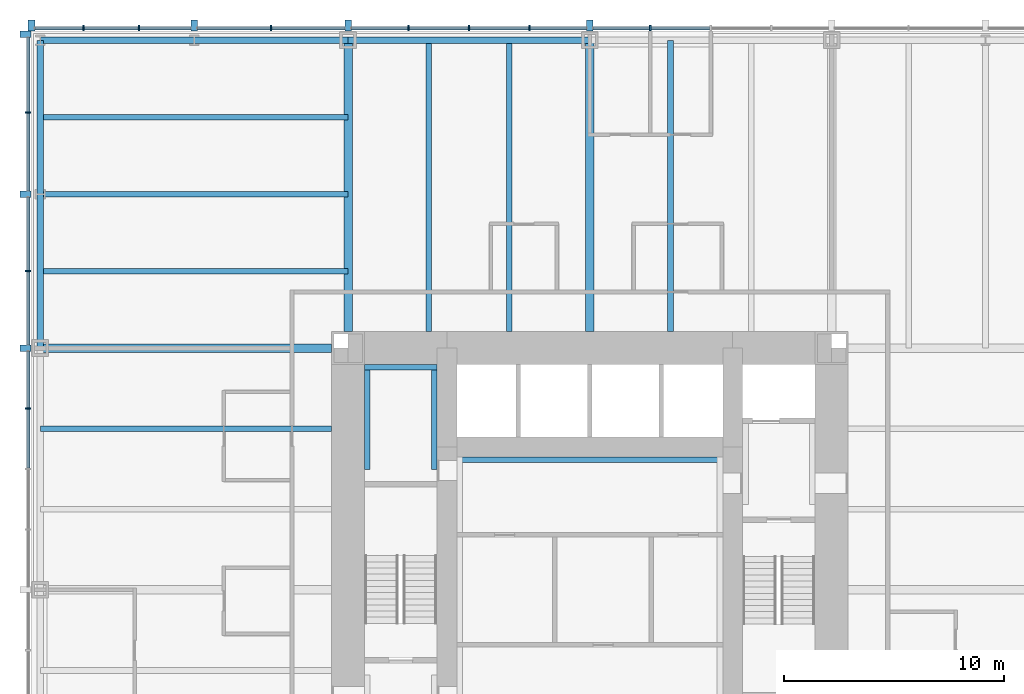
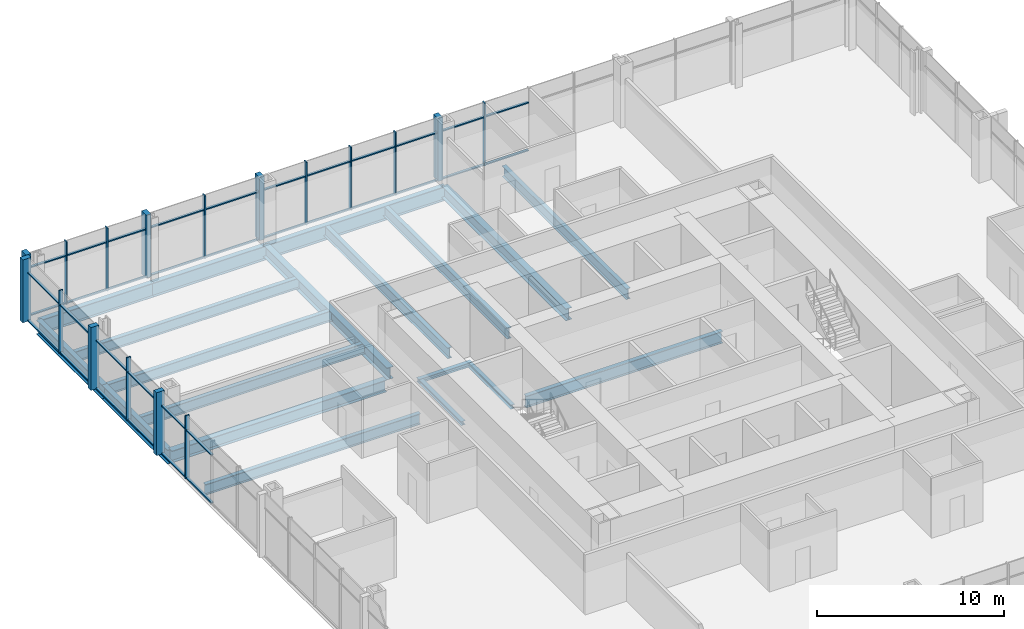
# One storey, part 5 of 12: 51 members, 19 beams, 2 elements without a shape of their own.
"""IFC4 building model written with IfcOpenShell, lengths in metres."""

from ifc_helpers import new_model, si_unit, direction, frame, origin, origin_2d, place, context, subcontext, project, spatial, rectangle, i_section, extrude, material, material_profile, profile_set, type_object, element, aggregate, save


model = new_model("IFC4")

# Units and contexts
model_context = context("Model", 3, precision=1e-05, world=origin(), true_north=direction((0.0, 1.0)))
body_context = subcontext(model_context, "Body", "Model", "MODEL_VIEW")
ifc_project = project(units=[si_unit("LENGTHUNIT", "METRE"), si_unit("AREAUNIT", "SQUARE_METRE"), si_unit("VOLUMEUNIT", "CUBIC_METRE"), si_unit("PLANEANGLEUNIT", "RADIAN"), si_unit("MASSUNIT", "GRAM", prefix="KILO")], contexts=[model_context])

# Site, building, storey
site_placement = place(None, origin())
site = spatial("IfcSite", under=ifc_project, at=site_placement, CompositionType="ELEMENT")
building_placement = place(site_placement, origin())
building = spatial("IfcBuilding", under=site, at=building_placement, Name="Trevanion Tower", CompositionType="ELEMENT")
storey_placement = place(building_placement, frame((0.0, 0.0, 28.300048828125)))
storey = spatial("IfcBuildingStorey", under=building, at=storey_placement, Name="L06", CompositionType="ELEMENT", Elevation=28.300048828125)

# Beams
ifc_material_1 = material(Name="Steel ASTM A992 Grade 50", Category="steel")
ifc_material_profile_1 = material_profile(ifc_material_1, i_section(OverallWidth=0.25390625, OverallDepth=0.700927734375, WebThickness=0.015380859375, FlangeThickness=0.02783203125, at=origin_2d()), Name="W27X129")
ifc_profile_set_1 = profile_set([ifc_material_profile_1], Name="Steel ASTM A992 Grade 50")
beam_type_1 = type_object("IfcBeamType", Name="B3 W27X129", PredefinedType="BEAM", material=ifc_profile_set_1)
for number, where, z_axis, x_axis, name in (
    (1, (3.666748046875, 11.75, -0.54052734375), (0.0, 1.0, 0.0), (-1.0, 0.0, 0.0), "B3 L06"),
    (2, (-3.666748046875, 11.75, -0.54052734375), (0.0, 1.0, 0.0), (-1.0, 0.0, 0.0), "B3 L06"),
    (3, (-7.333251953125, 11.75, -0.54052734375), (0.0, 1.0, 0.0), (-1.0, 0.0, 0.0), "B3 L06"),
    (4, (-11.75, 7.333251953125, -0.54052734375), (-1.0, 0.0, 0.0), (0.0, -1.0, 0.0), "B3 L06"),
):
    element("IfcBeam", number, at=place(storey_placement, frame(where, z_axis=z_axis, x_axis=x_axis)), inside=storey, type_object=beam_type_1, Name=name, PredefinedType="BEAM", context=body_context, shape_type="SweptSolid", body=[
        extrude(i_section(OverallWidth=0.25390625, OverallDepth=0.700927734375, WebThickness=0.015380859375, FlangeThickness=0.02783203125, at=origin_2d()), origin(), (0.0, 0.0, 1.0), 13.25),
    ])
ifc_material_2 = material(Name="Steel ASTM A992 Grade 50", Category="steel")
ifc_material_profile_2 = material_profile(ifc_material_2, i_section(OverallWidth=0.256591796875, OverallDepth=0.693359375, WebThickness=0.014404296875, FlangeThickness=0.023681640625, at=origin_2d()), Name="W27X114")
ifc_profile_set_2 = profile_set([ifc_material_profile_2], Name="Steel ASTM A992 Grade 50")
beam_type_2 = type_object("IfcBeamType", Name="B4 W27X114", PredefinedType="BEAM", material=ifc_profile_set_2)
for number, where, z_axis, x_axis, name in (
    (5, (-11.0, 14.5, -0.536865234375), (-1.0, 0.0, 0.0), (0.0, -1.0, 0.0), "B4 L06"),
    (6, (-11.0, 18.0, -0.536865234375), (-1.0, 0.0, 0.0), (0.0, -1.0, 0.0), "B4 L06"),
    (7, (-11.0, 21.5, -0.536865234375), (-1.0, 0.0, 0.0), (0.0, -1.0, 0.0), "B4 L06"),
):
    element("IfcBeam", number, at=place(storey_placement, frame(where, z_axis=z_axis, x_axis=x_axis)), inside=storey, type_object=beam_type_2, Name=name, PredefinedType="BEAM", context=body_context, shape_type="SweptSolid", body=[
        extrude(i_section(OverallWidth=0.256591796875, OverallDepth=0.693359375, WebThickness=0.014404296875, FlangeThickness=0.023681640625, at=origin_2d()), origin(), (0.0, 0.0, 1.0), 14.0),
    ])

# Curtain wall, members
ifc_material_3 = material(Name="Aluminium and glass", Category="aluminium")
curtain_wall_type = type_object("IfcCurtainWallType", Name="CW1 curtain wall", PredefinedType="USERDEFINED", material=ifc_material_3)
curtain_wall_1_placement = place(storey_placement, origin())
curtain_wall_1 = element("IfcCurtainWall", 8, at=curtain_wall_1_placement, inside=storey, type_object=curtain_wall_type, Name="CW1 L06 1", ObjectType="UNITISED CURTAIN WALL", PredefinedType="USERDEFINED")
ifc_material_4 = material(Name="Aluminium extrusion, anodised bronze", Category="aluminium")
ifc_material_profile_3 = material_profile(ifc_material_4, rectangle(XDim=0.074951171875, YDim=0.25, at=origin_2d()), Name="CW1 mullion")
ifc_profile_set_3 = profile_set([ifc_material_profile_3], Name="Aluminium extrusion, anodised bronze")
member_type_1 = type_object("IfcMemberType", Name="CW1 mullion", PredefinedType="MULLION", material=ifc_profile_set_3)
member_1_placement = place(storey_placement, frame((2.75, 25.550048828125, -0.18994140625), z_axis=(0.0, 0.0, 1.0), x_axis=(-1.0, 0.0, 0.0)))
member_1 = element("IfcMember", 9, at=member_1_placement, type_object=member_type_1, Name="CW1 mullion 8", PredefinedType="MULLION", context=body_context, shape_type="SweptSolid", body=[
    extrude(rectangle(XDim=0.074951171875, YDim=0.25, at=origin_2d()), origin(), (0.0, 0.0, 1.0), 4.099853515625),
])
member_2_placement = place(storey_placement, frame((-2.75, 25.550048828125, -0.18994140625), z_axis=(0.0, 0.0, 1.0), x_axis=(-1.0, 0.0, 0.0)))
member_2 = element("IfcMember", 10, at=member_2_placement, type_object=member_type_1, Name="CW1 mullion 10", PredefinedType="MULLION", context=body_context, shape_type="SweptSolid", body=[
    extrude(rectangle(XDim=0.074951171875, YDim=0.25, at=origin_2d()), origin(), (0.0, 0.0, 1.0), 4.099853515625),
])
member_3_placement = place(storey_placement, frame((-5.5, 25.550048828125, -0.18994140625), z_axis=(0.0, 0.0, 1.0), x_axis=(-1.0, 0.0, 0.0)))
member_3 = element("IfcMember", 11, at=member_3_placement, type_object=member_type_1, Name="CW1 mullion 11", PredefinedType="MULLION", context=body_context, shape_type="SweptSolid", body=[
    extrude(rectangle(XDim=0.074951171875, YDim=0.25, at=origin_2d()), origin(), (0.0, 0.0, 1.0), 4.099853515625),
])
member_4_placement = place(storey_placement, frame((-8.25, 25.550048828125, -0.18994140625), z_axis=(0.0, 0.0, 1.0), x_axis=(-1.0, 0.0, 0.0)))
member_4 = element("IfcMember", 12, at=member_4_placement, type_object=member_type_1, Name="CW1 mullion 12", PredefinedType="MULLION", context=body_context, shape_type="SweptSolid", body=[
    extrude(rectangle(XDim=0.074951171875, YDim=0.25, at=origin_2d()), origin(), (0.0, 0.0, 1.0), 4.099853515625),
])
member_5_placement = place(storey_placement, frame((-14.5, 25.550048828125, -0.18994140625), z_axis=(0.0, 0.0, 1.0), x_axis=(-1.0, 0.0, 0.0)))
member_5 = element("IfcMember", 13, at=member_5_placement, type_object=member_type_1, Name="CW1 mullion 14", PredefinedType="MULLION", context=body_context, shape_type="SweptSolid", body=[
    extrude(rectangle(XDim=0.074951171875, YDim=0.25, at=origin_2d()), origin(), (0.0, 0.0, 1.0), 4.099853515625),
])
member_6_placement = place(storey_placement, frame((-20.5166015625, 25.550048828125, -0.18994140625), z_axis=(0.0, 0.0, 1.0), x_axis=(-1.0, 0.0, 0.0)))
member_6 = element("IfcMember", 14, at=member_6_placement, type_object=member_type_1, Name="CW1 mullion 16", PredefinedType="MULLION", context=body_context, shape_type="SweptSolid", body=[
    extrude(rectangle(XDim=0.074951171875, YDim=0.25, at=origin_2d()), origin(), (0.0, 0.0, 1.0), 4.099853515625),
])
member_7_placement = place(storey_placement, frame((-23.033203125, 25.550048828125, -0.18994140625), z_axis=(0.0, 0.0, 1.0), x_axis=(-1.0, 0.0, 0.0)))
member_7 = element("IfcMember", 15, at=member_7_placement, type_object=member_type_1, Name="CW1 mullion 17", PredefinedType="MULLION", context=body_context, shape_type="SweptSolid", body=[
    extrude(rectangle(XDim=0.074951171875, YDim=0.25, at=origin_2d()), origin(), (0.0, 0.0, 1.0), 4.099853515625),
])

curtain_wall_2_placement = place(storey_placement, origin())
curtain_wall_2 = element("IfcCurtainWall", 16, at=curtain_wall_2_placement, inside=storey, type_object=curtain_wall_type, Name="CW1 L06 2", ObjectType="UNITISED CURTAIN WALL", PredefinedType="USERDEFINED")
member_8_placement = place(storey_placement, frame((-25.550048828125, 21.7099609375, -0.18994140625), z_axis=(0.0, 0.0, 1.0), x_axis=(0.0, -1.0, 0.0)))
member_8 = element("IfcMember", 17, at=member_8_placement, type_object=member_type_1, Name="CW1 mullion 2", PredefinedType="MULLION", context=body_context, shape_type="SweptSolid", body=[
    extrude(rectangle(XDim=0.074951171875, YDim=0.25, at=origin_2d()), origin(), (0.0, 0.0, 1.0), 4.099853515625),
])
member_9_placement = place(storey_placement, frame((-25.550048828125, 14.5, -0.18994140625), z_axis=(0.0, 0.0, 1.0), x_axis=(0.0, -1.0, 0.0)))
member_9 = element("IfcMember", 18, at=member_9_placement, type_object=member_type_1, Name="CW1 mullion 4", PredefinedType="MULLION", context=body_context, shape_type="SweptSolid", body=[
    extrude(rectangle(XDim=0.074951171875, YDim=0.25, at=origin_2d()), origin(), (0.0, 0.0, 1.0), 4.099853515625),
])
member_10_placement = place(storey_placement, frame((-25.550048828125, 8.25, -0.18994140625), z_axis=(0.0, 0.0, 1.0), x_axis=(0.0, -1.0, 0.0)))
member_10 = element("IfcMember", 19, at=member_10_placement, type_object=member_type_1, Name="CW1 mullion 6", PredefinedType="MULLION", context=body_context, shape_type="SweptSolid", body=[
    extrude(rectangle(XDim=0.074951171875, YDim=0.25, at=origin_2d()), origin(), (0.0, 0.0, 1.0), 4.099853515625),
])

# Member
ifc_material_5 = material(Name="Aluminium extrusion, anodised bronze", Category="aluminium")
ifc_material_profile_4 = material_profile(ifc_material_5, rectangle(XDim=0.300048828125, YDim=0.5, at=origin_2d()), Name="CW1 pier mullion")
ifc_profile_set_4 = profile_set([ifc_material_profile_4], Name="Aluminium extrusion, anodised bronze")
member_type_2 = type_object("IfcMemberType", Name="CW1 pier mullion", PredefinedType="MULLION", material=ifc_profile_set_4)
member_11_placement = place(storey_placement, frame((0.0, 25.675048828125, -0.18994140625), z_axis=(0.0, 0.0, 1.0), x_axis=(-1.0, 0.0, 0.0)))
member_11 = element("IfcMember", 20, at=member_11_placement, type_object=member_type_2, Name="CW1 pier mullion 9", PredefinedType="MULLION", context=body_context, shape_type="SweptSolid", body=[
    extrude(rectangle(XDim=0.300048828125, YDim=0.5, at=origin_2d()), origin(), (0.0, 0.0, 1.0), 4.099853515625),
])

member_12_placement = place(storey_placement, frame((-11.0, 25.675048828125, -0.18994140625), z_axis=(0.0, 0.0, 1.0), x_axis=(-1.0, 0.0, 0.0)))
member_12 = element("IfcMember", 21, at=member_12_placement, type_object=member_type_2, Name="CW1 pier mullion 13", PredefinedType="MULLION", context=body_context, shape_type="SweptSolid", body=[
    extrude(rectangle(XDim=0.300048828125, YDim=0.5, at=origin_2d()), origin(), (0.0, 0.0, 1.0), 4.099853515625),
])

member_13_placement = place(storey_placement, frame((-18.0, 25.675048828125, -0.18994140625), z_axis=(0.0, 0.0, 1.0), x_axis=(-1.0, 0.0, 0.0)))
member_13 = element("IfcMember", 22, at=member_13_placement, type_object=member_type_2, Name="CW1 pier mullion 15", PredefinedType="MULLION", context=body_context, shape_type="SweptSolid", body=[
    extrude(rectangle(XDim=0.300048828125, YDim=0.5, at=origin_2d()), origin(), (0.0, 0.0, 1.0), 4.099853515625),
])

member_14_placement = place(storey_placement, frame((-25.39990234375, 25.675048828125, -0.18994140625), z_axis=(0.0, 0.0, 1.0), x_axis=(-1.0, 0.0, 0.0)))
member_14 = element("IfcMember", 23, at=member_14_placement, type_object=member_type_2, Name="CW1 pier mullion 18", PredefinedType="MULLION", context=body_context, shape_type="SweptSolid", body=[
    extrude(rectangle(XDim=0.300048828125, YDim=0.5, at=origin_2d()), origin(), (0.0, 0.0, 1.0), 4.099853515625),
])

member_15_placement = place(storey_placement, frame((-25.675048828125, 25.27001953125, -0.18994140625), z_axis=(0.0, 0.0, 1.0), x_axis=(0.0, -1.0, 0.0)))
member_15 = element("IfcMember", 24, at=member_15_placement, type_object=member_type_2, Name="CW1 pier mullion 1", PredefinedType="MULLION", context=body_context, shape_type="SweptSolid", body=[
    extrude(rectangle(XDim=0.300048828125, YDim=0.5, at=origin_2d()), origin(), (0.0, 0.0, 1.0), 4.099853515625),
])

member_16_placement = place(storey_placement, frame((-25.675048828125, 18.0, -0.18994140625), z_axis=(0.0, 0.0, 1.0), x_axis=(0.0, -1.0, 0.0)))
member_16 = element("IfcMember", 25, at=member_16_placement, type_object=member_type_2, Name="CW1 pier mullion 3", PredefinedType="MULLION", context=body_context, shape_type="SweptSolid", body=[
    extrude(rectangle(XDim=0.300048828125, YDim=0.5, at=origin_2d()), origin(), (0.0, 0.0, 1.0), 4.099853515625),
])

member_17_placement = place(storey_placement, frame((-25.675048828125, 11.0, -0.18994140625), z_axis=(0.0, 0.0, 1.0), x_axis=(0.0, -1.0, 0.0)))
member_17 = element("IfcMember", 26, at=member_17_placement, type_object=member_type_2, Name="CW1 pier mullion 5", PredefinedType="MULLION", context=body_context, shape_type="SweptSolid", body=[
    extrude(rectangle(XDim=0.300048828125, YDim=0.5, at=origin_2d()), origin(), (0.0, 0.0, 1.0), 4.099853515625),
])

ifc_material_6 = material(Name="Aluminium extrusion, anodised bronze", Category="aluminium")
ifc_material_profile_5 = material_profile(ifc_material_6, rectangle(XDim=0.14990234375, YDim=0.074951171875, at=origin_2d()), Name="CW1 transom")
ifc_profile_set_5 = profile_set([ifc_material_profile_5], Name="Aluminium extrusion, anodised bronze")
member_type_3 = type_object("IfcMemberType", Name="CW1 transom", PredefinedType="USERDEFINED", material=ifc_profile_set_5)
member_18_placement = place(storey_placement, frame((5.46240234375, 25.550048828125, -0.152587890625), z_axis=(-1.0, 0.0, 0.0), x_axis=(0.0, -1.0, 0.0)))
member_18 = element("IfcMember", 27, at=member_18_placement, type_object=member_type_3, Name="CW1 transom 7.1", ObjectType="TRANSOM", PredefinedType="USERDEFINED", context=body_context, shape_type="SweptSolid", body=[
    extrude(rectangle(XDim=0.14990234375, YDim=0.074951171875, at=origin_2d()), origin(), (0.0, 0.0, 1.0), 2.6748046875),
])

member_19_placement = place(storey_placement, frame((5.46240234375, 25.550048828125, 2.9599609375), z_axis=(-1.0, 0.0, 0.0), x_axis=(0.0, -1.0, 0.0)))
member_19 = element("IfcMember", 28, at=member_19_placement, type_object=member_type_3, Name="CW1 transom 7.2", ObjectType="TRANSOM", PredefinedType="USERDEFINED", context=body_context, shape_type="SweptSolid", body=[
    extrude(rectangle(XDim=0.14990234375, YDim=0.074951171875, at=origin_2d()), origin(), (0.0, 0.0, 1.0), 2.6748046875),
])

member_20_placement = place(storey_placement, frame((2.71240234375, 25.550048828125, -0.152587890625), z_axis=(-1.0, 0.0, 0.0), x_axis=(0.0, -1.0, 0.0)))
member_20 = element("IfcMember", 29, at=member_20_placement, type_object=member_type_3, Name="CW1 transom 8.1", ObjectType="TRANSOM", PredefinedType="USERDEFINED", context=body_context, shape_type="SweptSolid", body=[
    extrude(rectangle(XDim=0.14990234375, YDim=0.074951171875, at=origin_2d()), origin(), (0.0, 0.0, 1.0), 2.5625),
])

member_21_placement = place(storey_placement, frame((2.71240234375, 25.550048828125, 2.9599609375), z_axis=(-1.0, 0.0, 0.0), x_axis=(0.0, -1.0, 0.0)))
member_21 = element("IfcMember", 30, at=member_21_placement, type_object=member_type_3, Name="CW1 transom 8.2", ObjectType="TRANSOM", PredefinedType="USERDEFINED", context=body_context, shape_type="SweptSolid", body=[
    extrude(rectangle(XDim=0.14990234375, YDim=0.074951171875, at=origin_2d()), origin(), (0.0, 0.0, 1.0), 2.5625),
])

member_22_placement = place(storey_placement, frame((-0.14990234375, 25.550048828125, -0.152587890625), z_axis=(-1.0, 0.0, 0.0), x_axis=(0.0, -1.0, 0.0)))
member_22 = element("IfcMember", 31, at=member_22_placement, type_object=member_type_3, Name="CW1 transom 9.1", ObjectType="TRANSOM", PredefinedType="USERDEFINED", context=body_context, shape_type="SweptSolid", body=[
    extrude(rectangle(XDim=0.14990234375, YDim=0.074951171875, at=origin_2d()), origin(), (0.0, 0.0, 1.0), 2.5625),
])

member_23_placement = place(storey_placement, frame((-0.14990234375, 25.550048828125, 2.9599609375), z_axis=(-1.0, 0.0, 0.0), x_axis=(0.0, -1.0, 0.0)))
member_23 = element("IfcMember", 32, at=member_23_placement, type_object=member_type_3, Name="CW1 transom 9.2", ObjectType="TRANSOM", PredefinedType="USERDEFINED", context=body_context, shape_type="SweptSolid", body=[
    extrude(rectangle(XDim=0.14990234375, YDim=0.074951171875, at=origin_2d()), origin(), (0.0, 0.0, 1.0), 2.5625),
])

member_24_placement = place(storey_placement, frame((-2.78759765625, 25.550048828125, -0.152587890625), z_axis=(-1.0, 0.0, 0.0), x_axis=(0.0, -1.0, 0.0)))
member_24 = element("IfcMember", 33, at=member_24_placement, type_object=member_type_3, Name="CW1 transom 10.1", ObjectType="TRANSOM", PredefinedType="USERDEFINED", context=body_context, shape_type="SweptSolid", body=[
    extrude(rectangle(XDim=0.14990234375, YDim=0.074951171875, at=origin_2d()), origin(), (0.0, 0.0, 1.0), 2.6748046875),
])

member_25_placement = place(storey_placement, frame((-2.78759765625, 25.550048828125, 2.9599609375), z_axis=(-1.0, 0.0, 0.0), x_axis=(0.0, -1.0, 0.0)))
member_25 = element("IfcMember", 34, at=member_25_placement, type_object=member_type_3, Name="CW1 transom 10.2", ObjectType="TRANSOM", PredefinedType="USERDEFINED", context=body_context, shape_type="SweptSolid", body=[
    extrude(rectangle(XDim=0.14990234375, YDim=0.074951171875, at=origin_2d()), origin(), (0.0, 0.0, 1.0), 2.6748046875),
])

member_26_placement = place(storey_placement, frame((-5.53759765625, 25.550048828125, -0.152587890625), z_axis=(-1.0, 0.0, 0.0), x_axis=(0.0, -1.0, 0.0)))
member_26 = element("IfcMember", 35, at=member_26_placement, type_object=member_type_3, Name="CW1 transom 11.1", ObjectType="TRANSOM", PredefinedType="USERDEFINED", context=body_context, shape_type="SweptSolid", body=[
    extrude(rectangle(XDim=0.14990234375, YDim=0.074951171875, at=origin_2d()), origin(), (0.0, 0.0, 1.0), 2.6748046875),
])

member_27_placement = place(storey_placement, frame((-5.53759765625, 25.550048828125, 2.9599609375), z_axis=(-1.0, 0.0, 0.0), x_axis=(0.0, -1.0, 0.0)))
member_27 = element("IfcMember", 36, at=member_27_placement, type_object=member_type_3, Name="CW1 transom 11.2", ObjectType="TRANSOM", PredefinedType="USERDEFINED", context=body_context, shape_type="SweptSolid", body=[
    extrude(rectangle(XDim=0.14990234375, YDim=0.074951171875, at=origin_2d()), origin(), (0.0, 0.0, 1.0), 2.6748046875),
])

member_28_placement = place(storey_placement, frame((-8.28759765625, 25.550048828125, -0.152587890625), z_axis=(-1.0, 0.0, 0.0), x_axis=(0.0, -1.0, 0.0)))
member_28 = element("IfcMember", 37, at=member_28_placement, type_object=member_type_3, Name="CW1 transom 12.1", ObjectType="TRANSOM", PredefinedType="USERDEFINED", context=body_context, shape_type="SweptSolid", body=[
    extrude(rectangle(XDim=0.14990234375, YDim=0.074951171875, at=origin_2d()), origin(), (0.0, 0.0, 1.0), 2.5625),
])

member_29_placement = place(storey_placement, frame((-8.28759765625, 25.550048828125, 2.9599609375), z_axis=(-1.0, 0.0, 0.0), x_axis=(0.0, -1.0, 0.0)))
member_29 = element("IfcMember", 38, at=member_29_placement, type_object=member_type_3, Name="CW1 transom 12.2", ObjectType="TRANSOM", PredefinedType="USERDEFINED", context=body_context, shape_type="SweptSolid", body=[
    extrude(rectangle(XDim=0.14990234375, YDim=0.074951171875, at=origin_2d()), origin(), (0.0, 0.0, 1.0), 2.5625),
])

member_30_placement = place(storey_placement, frame((-11.14990234375, 25.550048828125, -0.152587890625), z_axis=(-1.0, 0.0, 0.0), x_axis=(0.0, -1.0, 0.0)))
member_30 = element("IfcMember", 39, at=member_30_placement, type_object=member_type_3, Name="CW1 transom 13.1", ObjectType="TRANSOM", PredefinedType="USERDEFINED", context=body_context, shape_type="SweptSolid", body=[
    extrude(rectangle(XDim=0.14990234375, YDim=0.074951171875, at=origin_2d()), origin(), (0.0, 0.0, 1.0), 3.3125),
])

member_31_placement = place(storey_placement, frame((-11.14990234375, 25.550048828125, 2.9599609375), z_axis=(-1.0, 0.0, 0.0), x_axis=(0.0, -1.0, 0.0)))
member_31 = element("IfcMember", 40, at=member_31_placement, type_object=member_type_3, Name="CW1 transom 13.2", ObjectType="TRANSOM", PredefinedType="USERDEFINED", context=body_context, shape_type="SweptSolid", body=[
    extrude(rectangle(XDim=0.14990234375, YDim=0.074951171875, at=origin_2d()), origin(), (0.0, 0.0, 1.0), 3.3125),
])

member_32_placement = place(storey_placement, frame((-14.53759765625, 25.550048828125, -0.152587890625), z_axis=(-1.0, 0.0, 0.0), x_axis=(0.0, -1.0, 0.0)))
member_32 = element("IfcMember", 41, at=member_32_placement, type_object=member_type_3, Name="CW1 transom 14.1", ObjectType="TRANSOM", PredefinedType="USERDEFINED", context=body_context, shape_type="SweptSolid", body=[
    extrude(rectangle(XDim=0.14990234375, YDim=0.074951171875, at=origin_2d()), origin(), (0.0, 0.0, 1.0), 3.3125),
])

member_33_placement = place(storey_placement, frame((-14.53759765625, 25.550048828125, 2.9599609375), z_axis=(-1.0, 0.0, 0.0), x_axis=(0.0, -1.0, 0.0)))
member_33 = element("IfcMember", 42, at=member_33_placement, type_object=member_type_3, Name="CW1 transom 14.2", ObjectType="TRANSOM", PredefinedType="USERDEFINED", context=body_context, shape_type="SweptSolid", body=[
    extrude(rectangle(XDim=0.14990234375, YDim=0.074951171875, at=origin_2d()), origin(), (0.0, 0.0, 1.0), 3.3125),
])

member_34_placement = place(storey_placement, frame((-18.14990234375, 25.550048828125, -0.152587890625), z_axis=(-1.0, 0.0, 0.0), x_axis=(0.0, -1.0, 0.0)))
member_34 = element("IfcMember", 43, at=member_34_placement, type_object=member_type_3, Name="CW1 transom 15.1", ObjectType="TRANSOM", PredefinedType="USERDEFINED", context=body_context, shape_type="SweptSolid", body=[
    extrude(rectangle(XDim=0.14990234375, YDim=0.074951171875, at=origin_2d()), origin(), (0.0, 0.0, 1.0), 2.329345703125),
])

member_35_placement = place(storey_placement, frame((-18.14990234375, 25.550048828125, 2.9599609375), z_axis=(-1.0, 0.0, 0.0), x_axis=(0.0, -1.0, 0.0)))
member_35 = element("IfcMember", 44, at=member_35_placement, type_object=member_type_3, Name="CW1 transom 15.2", ObjectType="TRANSOM", PredefinedType="USERDEFINED", context=body_context, shape_type="SweptSolid", body=[
    extrude(rectangle(XDim=0.14990234375, YDim=0.074951171875, at=origin_2d()), origin(), (0.0, 0.0, 1.0), 2.329345703125),
])

member_36_placement = place(storey_placement, frame((-20.55419921875, 25.550048828125, -0.152587890625), z_axis=(-1.0, 0.0, 0.0), x_axis=(0.0, -1.0, 0.0)))
member_36 = element("IfcMember", 45, at=member_36_placement, type_object=member_type_3, Name="CW1 transom 16.1", ObjectType="TRANSOM", PredefinedType="USERDEFINED", context=body_context, shape_type="SweptSolid", body=[
    extrude(rectangle(XDim=0.14990234375, YDim=0.074951171875, at=origin_2d()), origin(), (0.0, 0.0, 1.0), 2.441650390625),
])

member_37_placement = place(storey_placement, frame((-20.55419921875, 25.550048828125, 2.9599609375), z_axis=(-1.0, 0.0, 0.0), x_axis=(0.0, -1.0, 0.0)))
member_37 = element("IfcMember", 46, at=member_37_placement, type_object=member_type_3, Name="CW1 transom 16.2", ObjectType="TRANSOM", PredefinedType="USERDEFINED", context=body_context, shape_type="SweptSolid", body=[
    extrude(rectangle(XDim=0.14990234375, YDim=0.074951171875, at=origin_2d()), origin(), (0.0, 0.0, 1.0), 2.441650390625),
])

member_38_placement = place(storey_placement, frame((-23.07080078125, 25.550048828125, -0.152587890625), z_axis=(-1.0, 0.0, 0.0), x_axis=(0.0, -1.0, 0.0)))
member_38 = element("IfcMember", 47, at=member_38_placement, type_object=member_type_3, Name="CW1 transom 17.1", ObjectType="TRANSOM", PredefinedType="USERDEFINED", context=body_context, shape_type="SweptSolid", body=[
    extrude(rectangle(XDim=0.14990234375, YDim=0.074951171875, at=origin_2d()), origin(), (0.0, 0.0, 1.0), 2.17919921875),
])

member_39_placement = place(storey_placement, frame((-23.07080078125, 25.550048828125, 2.9599609375), z_axis=(-1.0, 0.0, 0.0), x_axis=(0.0, -1.0, 0.0)))
member_39 = element("IfcMember", 48, at=member_39_placement, type_object=member_type_3, Name="CW1 transom 17.2", ObjectType="TRANSOM", PredefinedType="USERDEFINED", context=body_context, shape_type="SweptSolid", body=[
    extrude(rectangle(XDim=0.14990234375, YDim=0.074951171875, at=origin_2d()), origin(), (0.0, 0.0, 1.0), 2.17919921875),
])

aggregate(curtain_wall_1, [member_1, member_11, member_2, member_3, member_4, member_12, member_5, member_13, member_6, member_7, member_14, member_18, member_19, member_20, member_21, member_22, member_23, member_24, member_25, member_26, member_27, member_28, member_29, member_30, member_31, member_32, member_33, member_34, member_35, member_36, member_37, member_38, member_39])

member_40_placement = place(storey_placement, frame((-25.550048828125, 25.1201171875, -0.152587890625), z_axis=(0.0, -1.0, 0.0), x_axis=(1.0, 0.0, 0.0)))
member_40 = element("IfcMember", 49, at=member_40_placement, type_object=member_type_3, Name="CW1 transom 1.1", ObjectType="TRANSOM", PredefinedType="USERDEFINED", context=body_context, shape_type="SweptSolid", body=[
    extrude(rectangle(XDim=0.14990234375, YDim=0.074951171875, at=origin_2d()), origin(), (0.0, 0.0, 1.0), 3.37255859375),
])

member_41_placement = place(storey_placement, frame((-25.550048828125, 25.1201171875, 2.9599609375), z_axis=(0.0, -1.0, 0.0), x_axis=(1.0, 0.0, 0.0)))
member_41 = element("IfcMember", 50, at=member_41_placement, type_object=member_type_3, Name="CW1 transom 1.2", ObjectType="TRANSOM", PredefinedType="USERDEFINED", context=body_context, shape_type="SweptSolid", body=[
    extrude(rectangle(XDim=0.14990234375, YDim=0.074951171875, at=origin_2d()), origin(), (0.0, 0.0, 1.0), 3.37255859375),
])

member_42_placement = place(storey_placement, frame((-25.550048828125, 21.672607421875, -0.152587890625), z_axis=(0.0, -1.0, 0.0), x_axis=(1.0, 0.0, 0.0)))
member_42 = element("IfcMember", 51, at=member_42_placement, type_object=member_type_3, Name="CW1 transom 2.1", ObjectType="TRANSOM", PredefinedType="USERDEFINED", context=body_context, shape_type="SweptSolid", body=[
    extrude(rectangle(XDim=0.14990234375, YDim=0.074951171875, at=origin_2d()), origin(), (0.0, 0.0, 1.0), 3.522705078125),
])

member_43_placement = place(storey_placement, frame((-25.550048828125, 21.672607421875, 2.9599609375), z_axis=(0.0, -1.0, 0.0), x_axis=(1.0, 0.0, 0.0)))
member_43 = element("IfcMember", 52, at=member_43_placement, type_object=member_type_3, Name="CW1 transom 2.2", ObjectType="TRANSOM", PredefinedType="USERDEFINED", context=body_context, shape_type="SweptSolid", body=[
    extrude(rectangle(XDim=0.14990234375, YDim=0.074951171875, at=origin_2d()), origin(), (0.0, 0.0, 1.0), 3.522705078125),
])

member_44_placement = place(storey_placement, frame((-25.550048828125, 17.85009765625, -0.152587890625), z_axis=(0.0, -1.0, 0.0), x_axis=(1.0, 0.0, 0.0)))
member_44 = element("IfcMember", 53, at=member_44_placement, type_object=member_type_3, Name="CW1 transom 3.1", ObjectType="TRANSOM", PredefinedType="USERDEFINED", context=body_context, shape_type="SweptSolid", body=[
    extrude(rectangle(XDim=0.14990234375, YDim=0.074951171875, at=origin_2d()), origin(), (0.0, 0.0, 1.0), 3.3125),
])

member_45_placement = place(storey_placement, frame((-25.550048828125, 17.85009765625, 2.9599609375), z_axis=(0.0, -1.0, 0.0), x_axis=(1.0, 0.0, 0.0)))
member_45 = element("IfcMember", 54, at=member_45_placement, type_object=member_type_3, Name="CW1 transom 3.2", ObjectType="TRANSOM", PredefinedType="USERDEFINED", context=body_context, shape_type="SweptSolid", body=[
    extrude(rectangle(XDim=0.14990234375, YDim=0.074951171875, at=origin_2d()), origin(), (0.0, 0.0, 1.0), 3.3125),
])

member_46_placement = place(storey_placement, frame((-25.550048828125, 14.46240234375, -0.152587890625), z_axis=(0.0, -1.0, 0.0), x_axis=(1.0, 0.0, 0.0)))
member_46 = element("IfcMember", 55, at=member_46_placement, type_object=member_type_3, Name="CW1 transom 4.1", ObjectType="TRANSOM", PredefinedType="USERDEFINED", context=body_context, shape_type="SweptSolid", body=[
    extrude(rectangle(XDim=0.14990234375, YDim=0.074951171875, at=origin_2d()), origin(), (0.0, 0.0, 1.0), 3.3125),
])

member_47_placement = place(storey_placement, frame((-25.550048828125, 14.46240234375, 2.9599609375), z_axis=(0.0, -1.0, 0.0), x_axis=(1.0, 0.0, 0.0)))
member_47 = element("IfcMember", 56, at=member_47_placement, type_object=member_type_3, Name="CW1 transom 4.2", ObjectType="TRANSOM", PredefinedType="USERDEFINED", context=body_context, shape_type="SweptSolid", body=[
    extrude(rectangle(XDim=0.14990234375, YDim=0.074951171875, at=origin_2d()), origin(), (0.0, 0.0, 1.0), 3.3125),
])

member_48_placement = place(storey_placement, frame((-25.550048828125, 10.85009765625, -0.152587890625), z_axis=(0.0, -1.0, 0.0), x_axis=(1.0, 0.0, 0.0)))
member_48 = element("IfcMember", 57, at=member_48_placement, type_object=member_type_3, Name="CW1 transom 5.1", ObjectType="TRANSOM", PredefinedType="USERDEFINED", context=body_context, shape_type="SweptSolid", body=[
    extrude(rectangle(XDim=0.14990234375, YDim=0.074951171875, at=origin_2d()), origin(), (0.0, 0.0, 1.0), 2.5625),
])

member_49_placement = place(storey_placement, frame((-25.550048828125, 10.85009765625, 2.9599609375), z_axis=(0.0, -1.0, 0.0), x_axis=(1.0, 0.0, 0.0)))
member_49 = element("IfcMember", 58, at=member_49_placement, type_object=member_type_3, Name="CW1 transom 5.2", ObjectType="TRANSOM", PredefinedType="USERDEFINED", context=body_context, shape_type="SweptSolid", body=[
    extrude(rectangle(XDim=0.14990234375, YDim=0.074951171875, at=origin_2d()), origin(), (0.0, 0.0, 1.0), 2.5625),
])

member_50_placement = place(storey_placement, frame((-25.550048828125, 8.21240234375, -0.152587890625), z_axis=(0.0, -1.0, 0.0), x_axis=(1.0, 0.0, 0.0)))
member_50 = element("IfcMember", 59, at=member_50_placement, type_object=member_type_3, Name="CW1 transom 6.1", ObjectType="TRANSOM", PredefinedType="USERDEFINED", context=body_context, shape_type="SweptSolid", body=[
    extrude(rectangle(XDim=0.14990234375, YDim=0.074951171875, at=origin_2d()), origin(), (0.0, 0.0, 1.0), 2.6748046875),
])

member_51_placement = place(storey_placement, frame((-25.550048828125, 8.21240234375, 2.9599609375), z_axis=(0.0, -1.0, 0.0), x_axis=(1.0, 0.0, 0.0)))
member_51 = element("IfcMember", 60, at=member_51_placement, type_object=member_type_3, Name="CW1 transom 6.2", ObjectType="TRANSOM", PredefinedType="USERDEFINED", context=body_context, shape_type="SweptSolid", body=[
    extrude(rectangle(XDim=0.14990234375, YDim=0.074951171875, at=origin_2d()), origin(), (0.0, 0.0, 1.0), 2.6748046875),
])

aggregate(curtain_wall_2, [member_15, member_8, member_16, member_9, member_17, member_10, member_40, member_41, member_42, member_43, member_44, member_45, member_46, member_47, member_48, member_49, member_50, member_51])

# Beams
ifc_material_7 = material(Name="Steel ASTM A992 Grade 50", Category="steel")
ifc_material_profile_6 = material_profile(ifc_material_7, i_section(OverallWidth=0.381103515625, OverallDepth=0.77978515625, WebThickness=0.01806640625, FlangeThickness=0.0302734375, at=origin_2d()), Name="W30X191")
ifc_profile_set_6 = profile_set([ifc_material_profile_6], Name="Steel ASTM A992 Grade 50")
beam_type_3 = type_object("IfcBeamType", Name="G2 W30X191", PredefinedType="BEAM", material=ifc_profile_set_6)
for number, where, z_axis, x_axis, name in (
    (61, (0.0, 11.75, -0.579833984375), (0.0, 1.0, 0.0), (-1.0, 0.0, 0.0), "G2 L06"),
    (62, (-11.0, 11.75, -0.579833984375), (0.0, 1.0, 0.0), (-1.0, 0.0, 0.0), "G2 L06"),
    (63, (-11.75, 11.0, -0.579833984375), (-1.0, 0.0, 0.0), (0.0, -1.0, 0.0), "G2 L06"),
):
    element("IfcBeam", number, at=place(storey_placement, frame(where, z_axis=z_axis, x_axis=x_axis)), inside=storey, type_object=beam_type_3, Name=name, PredefinedType="BEAM", context=body_context, shape_type="SweptSolid", body=[
        extrude(i_section(OverallWidth=0.381103515625, OverallDepth=0.77978515625, WebThickness=0.01806640625, FlangeThickness=0.0302734375, at=origin_2d()), origin(), (0.0, 0.0, 1.0), 13.25),
    ])
ifc_material_8 = material(Name="Steel ASTM A992 Grade 50", Category="steel")
ifc_material_profile_7 = material_profile(ifc_material_8, i_section(OverallWidth=0.256591796875, OverallDepth=0.26416015625, WebThickness=0.011962890625, FlangeThickness=0.01953125, at=origin_2d()), Name="W10X68")
ifc_profile_set_7 = profile_set([ifc_material_profile_7], Name="Steel ASTM A992 Grade 50")
beam_type_4 = type_object("IfcBeamType", Name="LB1 W10X68", PredefinedType="BEAM", material=ifc_profile_set_7)
for number, where, z_axis, x_axis, name in (
    (64, (-10.12158203125, 5.47509765625, -0.33203125), (0.0, 1.0, 0.0), (-1.0, 0.0, 0.0), "LB1 L06"),
    (65, (-7.078369140625, 5.47509765625, -0.33203125), (0.0, 1.0, 0.0), (-1.0, 0.0, 0.0), "LB1 L06"),
):
    element("IfcBeam", number, at=place(storey_placement, frame(where, z_axis=z_axis, x_axis=x_axis)), inside=storey, type_object=beam_type_4, Name=name, PredefinedType="BEAM", context=body_context, shape_type="SweptSolid", body=[
        extrude(i_section(OverallWidth=0.256591796875, OverallDepth=0.26416015625, WebThickness=0.011962890625, FlangeThickness=0.01953125, at=origin_2d()), origin(), (0.0, 0.0, 1.0), 4.77490234375),
    ])
beam_1_placement = place(storey_placement, frame((-10.25, 10.12158203125, -0.33203125), z_axis=(1.0, 0.0, 0.0), x_axis=(0.0, 1.0, 0.0)))
element("IfcBeam", 66, at=beam_1_placement, inside=storey, type_object=beam_type_4, Name="LB1 L06", PredefinedType="BEAM", context=body_context, shape_type="SweptSolid", body=[
    extrude(i_section(OverallWidth=0.256591796875, OverallDepth=0.26416015625, WebThickness=0.011962890625, FlangeThickness=0.01953125, at=origin_2d()), origin(), (0.0, 0.0, 1.0), 3.300048828125),
])
ifc_material_9 = material(Name="Steel ASTM A992 Grade 50", Category="steel")
ifc_material_profile_8 = material_profile(ifc_material_9, i_section(OverallWidth=0.2666015625, OverallDepth=0.76953125, WebThickness=0.015625, FlangeThickness=0.025390625, at=origin_2d()), Name="W30X132")
ifc_profile_set_8 = profile_set([ifc_material_profile_8], Name="Steel ASTM A992 Grade 50")
beam_type_5 = type_object("IfcBeamType", Name="LB3 W30X132", PredefinedType="BEAM", material=ifc_profile_set_8)
beam_2_placement = place(storey_placement, frame((-6.050048828125, 5.91650390625, -0.5849609375), z_axis=(1.0, 0.0, 0.0), x_axis=(0.0, 1.0, 0.0)))
element("IfcBeam", 67, at=beam_2_placement, inside=storey, type_object=beam_type_5, Name="LB3 L06", PredefinedType="BEAM", context=body_context, shape_type="SweptSolid", body=[
    extrude(i_section(OverallWidth=0.2666015625, OverallDepth=0.76953125, WebThickness=0.015625, FlangeThickness=0.025390625, at=origin_2d()), origin(), (0.0, 0.0, 1.0), 12.10009765625),
])
ifc_material_10 = material(Name="Steel ASTM A992 Grade 50", Category="steel")
ifc_material_profile_9 = material_profile(ifc_material_10, i_section(OverallWidth=0.307373046875, OverallDepth=0.927001953125, WebThickness=0.01953125, FlangeThickness=0.031982421875, at=origin_2d()), Name="W36X194")
ifc_profile_set_9 = profile_set([ifc_material_profile_9], Name="Steel ASTM A992 Grade 50")
beam_type_6 = type_object("IfcBeamType", Name="SB2 W36X194", PredefinedType="SPANDREL", material=ifc_profile_set_9)
beam_3_placement = place(storey_placement, frame((0.0, 25.0, -0.653564453125), z_axis=(-1.0, 0.0, 0.0), x_axis=(0.0, -1.0, 0.0)))
element("IfcBeam", 68, at=beam_3_placement, inside=storey, type_object=beam_type_6, Name="SB2 L06", PredefinedType="SPANDREL", context=body_context, shape_type="SweptSolid", body=[
    extrude(i_section(OverallWidth=0.307373046875, OverallDepth=0.927001953125, WebThickness=0.01953125, FlangeThickness=0.031982421875, at=origin_2d()), origin(), (0.0, 0.0, 1.0), 11.0),
])
for number, where, z_axis, x_axis, name in (
    (69, (-11.0, 25.0, -0.653564453125), (-1.0, 0.0, 0.0), (0.0, -1.0, 0.0), "SB2 L06"),
    (70, (-18.0, 25.0, -0.653564453125), (-1.0, 0.0, 0.0), (0.0, -1.0, 0.0), "SB2 L06"),
    (71, (-25.0, 25.0, -0.653564453125), (0.0, -1.0, 0.0), (1.0, 0.0, 0.0), "SB2 L06"),
    (72, (-25.0, 18.0, -0.653564453125), (0.0, -1.0, 0.0), (1.0, 0.0, 0.0), "SB2 L06"),
):
    element("IfcBeam", number, at=place(storey_placement, frame(where, z_axis=z_axis, x_axis=x_axis)), inside=storey, type_object=beam_type_6, Name=name, PredefinedType="SPANDREL", context=body_context, shape_type="SweptSolid", body=[
        extrude(i_section(OverallWidth=0.307373046875, OverallDepth=0.927001953125, WebThickness=0.01953125, FlangeThickness=0.031982421875, at=origin_2d()), origin(), (0.0, 0.0, 1.0), 7.0),
    ])

save(model, "model.ifc")
